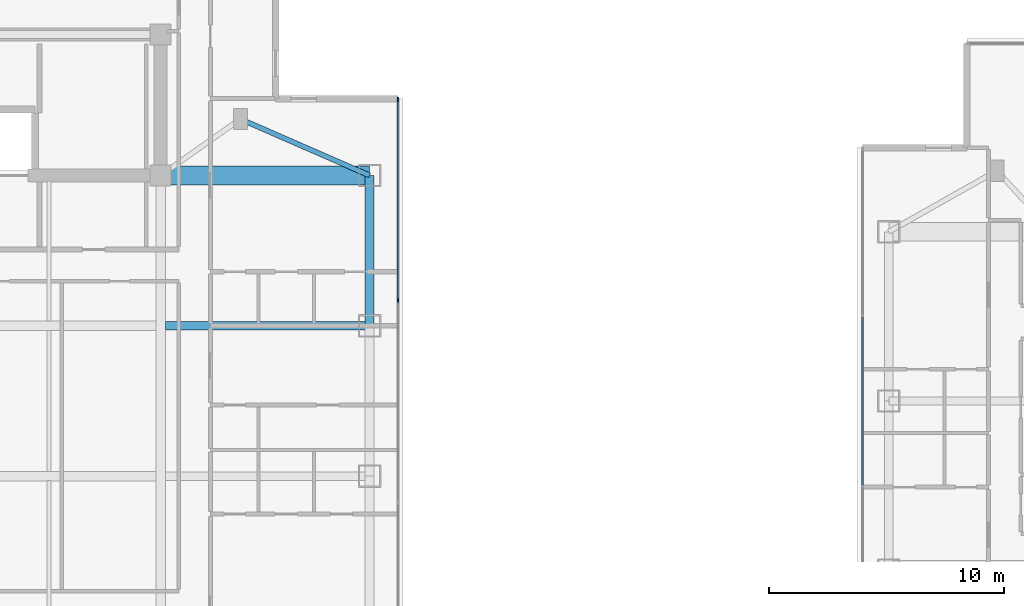
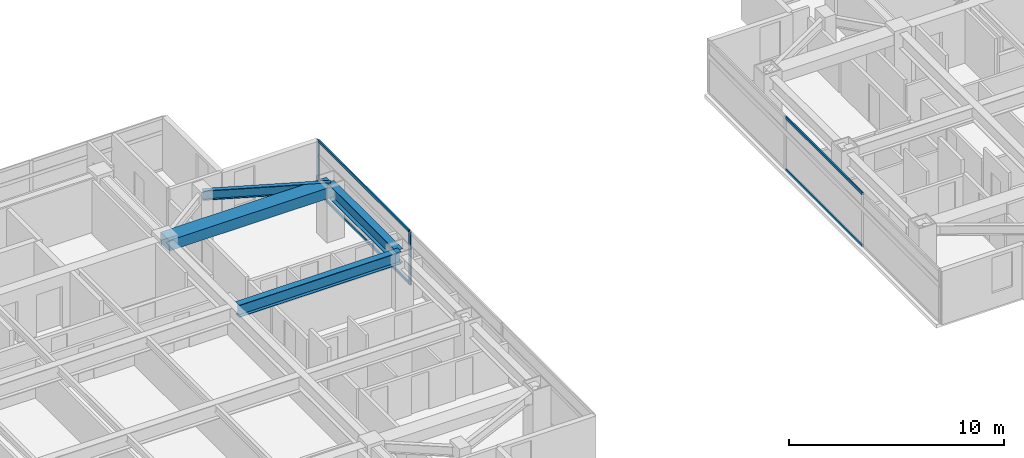
# One storey, part 6 of 24: 6 members, 4 beams, 2 elements without a shape of their own.
"""IFC4 building model written with IfcOpenShell, lengths in metres."""

from ifc_helpers import new_model, si_unit, direction, frame, origin, origin_2d, place, context, subcontext, project, spatial, rectangle, i_section, extrude, material, material_profile, profile_set, type_object, element, aggregate, save


model = new_model("IFC4")

# Units and contexts
model_context = context("Model", 3, precision=1e-05, world=origin(), true_north=direction((0.0, 1.0)))
body_context = subcontext(model_context, "Body", "Model", "MODEL_VIEW")
ifc_project = project(units=[si_unit("LENGTHUNIT", "METRE"), si_unit("AREAUNIT", "SQUARE_METRE"), si_unit("VOLUMEUNIT", "CUBIC_METRE"), si_unit("PLANEANGLEUNIT", "RADIAN"), si_unit("MASSUNIT", "GRAM", prefix="KILO")], contexts=[model_context])

# Site, building, storey
site_placement = place(None, origin())
site = spatial("IfcSite", under=ifc_project, at=site_placement, CompositionType="ELEMENT")
building_placement = place(site_placement, origin())
building = spatial("IfcBuilding", under=site, at=building_placement, Name="Mirazonda Arch Towers", CompositionType="ELEMENT")
storey_placement = place(building_placement, frame((0.0, 0.0, 186.89990234375)))
storey = spatial("IfcBuildingStorey", under=building, at=storey_placement, Name="L53", CompositionType="ELEMENT", Elevation=186.89990234375)

# Beams
ifc_material_1 = material(Name="Steel ASTM A992 Grade 50", Category="steel")
ifc_material_profile_1 = material_profile(ifc_material_1, i_section(OverallWidth=0.381103515625, OverallDepth=0.77294921875, WebThickness=0.0166015625, FlangeThickness=0.027099609375, at=origin_2d()), Name="W30X173")
ifc_profile_set_1 = profile_set([ifc_material_profile_1], Name="Steel ASTM A992 Grade 50")
beam_type_1 = type_object("IfcBeamType", Name="BM-EXT-W30X173", PredefinedType="USERDEFINED", material=ifc_profile_set_1)
beam_1_placement = place(storey_placement, frame((38.89990234375, 31.199951171875, 2.66357421875), z_axis=(0.0, 1.0, 0.0), x_axis=(-1.0, 0.0, 0.0)))
element("IfcBeam", 1, at=beam_1_placement, inside=storey, type_object=beam_type_1, Name="L53 Floor Beam BM-T1-L53-NS-E-31", ObjectType="GIRDER", PredefinedType="USERDEFINED", context=body_context, shape_type="SweptSolid", body=[
    extrude(i_section(OverallWidth=0.381103515625, OverallDepth=0.77294921875, WebThickness=0.0166015625, FlangeThickness=0.027099609375, at=origin_2d()), origin(), (0.0, 0.0, 1.0), 6.400146484375),
])
ifc_material_profile_2 = material_profile(ifc_material_1, i_section(OverallWidth=0.214111328125, OverallDepth=0.549072265625, WebThickness=0.0146484375, FlangeThickness=0.023681640625, at=origin_2d()), Name="W21X93")
ifc_profile_set_2 = profile_set([ifc_material_profile_2], Name="Steel ASTM A992 Grade 50")
beam_type_2 = type_object("IfcBeamType", Name="BM-INT-W21X93", PredefinedType="BEAM", material=ifc_profile_set_2)
beam_2_placement = place(storey_placement, frame((33.39990234375, 40.0, 2.775634765625), z_axis=(0.916545343703, -0.399930785183, 0.0), x_axis=(0.399930785183, 0.916545343703, 0.0)))
element("IfcBeam", 2, at=beam_2_placement, inside=storey, type_object=beam_type_2, Name="L53 Floor Beam BM-T1-L53-PL-NE2", PredefinedType="BEAM", context=body_context, shape_type="SweptSolid", body=[
    extrude(i_section(OverallWidth=0.214111328125, OverallDepth=0.549072265625, WebThickness=0.0146484375, FlangeThickness=0.023681640625, at=origin_2d()), origin(), (0.0, 0.0, 1.0), 6.000732421875),
])
ifc_material_profile_3 = material_profile(ifc_material_1, i_section(OverallWidth=0.35498046875, OverallDepth=0.696044921875, WebThickness=0.015380859375, FlangeThickness=0.02490234375, at=origin_2d()), Name="W27X146")
ifc_profile_set_3 = profile_set([ifc_material_profile_3], Name="Steel ASTM A992 Grade 50")
beam_type_3 = type_object("IfcBeamType", Name="BM-INT-W27X146", PredefinedType="BEAM", material=ifc_profile_set_3)
beam_3_placement = place(storey_placement, frame((30.199951171875, 31.199951171875, 2.7021484375), z_axis=(1.0, 0.0, 0.0), x_axis=(0.0, 1.0, 0.0)))
element("IfcBeam", 3, at=beam_3_placement, inside=storey, type_object=beam_type_3, Name="L53 Floor Beam BM-T1-L53-GE3", PredefinedType="BEAM", context=body_context, shape_type="SweptSolid", body=[
    extrude(i_section(OverallWidth=0.35498046875, OverallDepth=0.696044921875, WebThickness=0.015380859375, FlangeThickness=0.02490234375, at=origin_2d()), origin(), (0.0, 0.0, 1.0), 8.699951171875),
])
ifc_material_2 = material(Name="Concrete C60/75", Category="concrete")
ifc_material_profile_4 = material_profile(ifc_material_2, rectangle(XDim=0.800048828125, YDim=0.60009765625, at=origin_2d()), Name="RCCB800x600")
ifc_profile_set_4 = profile_set([ifc_material_profile_4], Name="Concrete C60/75")
beam_type_4 = type_object("IfcBeamType", Name="CB-INT-RCCB800x600", PredefinedType="SPANDREL", material=ifc_profile_set_4)
beam_4_placement = place(storey_placement, frame((30.0, 37.60009765625, 2.75), z_axis=(1.0, 0.0, 0.0), x_axis=(0.0, 1.0, 0.0)))
element("IfcBeam", 4, at=beam_4_placement, inside=storey, type_object=beam_type_4, Name="L53 Floor Beam CBC-T1-L53-NE", PredefinedType="SPANDREL", context=body_context, shape_type="SweptSolid", body=[
    extrude(rectangle(XDim=0.800048828125, YDim=0.60009765625, at=origin_2d()), origin(), (0.0, 0.0, 1.0), 8.89990234375),
])

# Curtain wall, members
ifc_material_3 = material(Name="Anodised Aluminium and Low-E Glass", Category="aluminium")
curtain_wall_type = type_object("IfcCurtainWallType", Name="CW-RES-UNIT", PredefinedType="NOTDEFINED", material=ifc_material_3)
curtain_wall_1_placement = place(storey_placement, origin())
curtain_wall_1 = element("IfcCurtainWall", 5, at=curtain_wall_1_placement, inside=storey, type_object=curtain_wall_type, Name="L53 T1 E Facade CW-L53-T1-E", PredefinedType="NOTDEFINED")
ifc_material_4 = material(Name="Anodised Aluminium Alloy", Category="aluminium")
ifc_material_profile_5 = material_profile(ifc_material_4, rectangle(XDim=0.074951171875, YDim=0.175048828125, at=origin_2d()), Name="ALU-MULL-75x175")
ifc_profile_set_5 = profile_set([ifc_material_profile_5], Name="Anodised Aluminium Alloy")
member_type_1 = type_object("IfcMemberType", Name="MULL-CW-RES-UNIT", PredefinedType="MULLION", material=ifc_profile_set_5)
member_1_placement = place(storey_placement, frame((40.110107421875, 32.291015625, 0.0), z_axis=(0.0, 0.0, 1.0), x_axis=(-1.0, 0.0, 0.0)))
member_1 = element("IfcMember", 6, at=member_1_placement, type_object=member_type_1, Name="CW-104 mullion 3", PredefinedType="MULLION", context=body_context, shape_type="SweptSolid", body=[
    extrude(rectangle(XDim=0.074951171875, YDim=0.175048828125, at=origin_2d()), origin(), (0.0, 0.0, 1.0), 3.030029296875),
])
member_2_placement = place(storey_placement, frame((40.110107421875, 40.83544921875, 0.0), z_axis=(0.0, 0.0, 1.0), x_axis=(-1.0, 0.0, 0.0)))
member_2 = element("IfcMember", 7, at=member_2_placement, type_object=member_type_1, Name="CW-104 mullion 4", PredefinedType="MULLION", context=body_context, shape_type="SweptSolid", body=[
    extrude(rectangle(XDim=0.074951171875, YDim=0.175048828125, at=origin_2d()), origin(), (0.0, 0.0, 1.0), 3.030029296875),
])
ifc_material_profile_6 = material_profile(ifc_material_4, rectangle(XDim=0.074951171875, YDim=0.155029296875, at=origin_2d()), Name="ALU-TRAN-75x155")
ifc_profile_set_6 = profile_set([ifc_material_profile_6], Name="Anodised Aluminium Alloy")
member_type_2 = type_object("IfcMemberType", Name="TRAN-CW-RES-UNIT", PredefinedType="USERDEFINED", material=ifc_profile_set_6)
member_3_placement = place(storey_placement, frame((40.110107421875, 32.32861328125, 0.03759765625), z_axis=(0.0, 1.0, 0.0), x_axis=(-1.0, 0.0, 0.0)))
member_3 = element("IfcMember", 8, at=member_3_placement, type_object=member_type_2, Name="CW-104 transom 3.1", ObjectType="TRANSOM", PredefinedType="USERDEFINED", context=body_context, shape_type="SweptSolid", body=[
    extrude(rectangle(XDim=0.074951171875, YDim=0.155029296875, at=origin_2d()), origin(), (0.0, 0.0, 1.0), 8.469482421875),
])
member_4_placement = place(storey_placement, frame((40.110107421875, 32.32861328125, 2.99267578125), z_axis=(0.0, 1.0, 0.0), x_axis=(-1.0, 0.0, 0.0)))
member_4 = element("IfcMember", 9, at=member_4_placement, type_object=member_type_2, Name="CW-104 transom 3.2", ObjectType="TRANSOM", PredefinedType="USERDEFINED", context=body_context, shape_type="SweptSolid", body=[
    extrude(rectangle(XDim=0.074951171875, YDim=0.155029296875, at=origin_2d()), origin(), (0.0, 0.0, 1.0), 8.469482421875),
])
aggregate(curtain_wall_1, [member_1, member_2, member_3, member_4])

curtain_wall_2_placement = place(storey_placement, origin())
curtain_wall_2 = element("IfcCurtainWall", 10, at=curtain_wall_2_placement, inside=storey, type_object=curtain_wall_type, Name="L53 T2 W Facade CW-L53-T2-W", PredefinedType="NOTDEFINED")
member_5_placement = place(storey_placement, frame((59.884521484375, 31.556640625, 0.03759765625), z_axis=(0.0, -1.0, 0.0), x_axis=(1.0, 0.0, 0.0)))
member_5 = element("IfcMember", 11, at=member_5_placement, type_object=member_type_2, Name="CW-104 transom 2.1", ObjectType="TRANSOM", PredefinedType="USERDEFINED", context=body_context, shape_type="SweptSolid", body=[
    extrude(rectangle(XDim=0.074951171875, YDim=0.155029296875, at=origin_2d()), origin(), (0.0, 0.0, 1.0), 7.11328125),
])
member_6_placement = place(storey_placement, frame((59.884521484375, 31.556640625, 2.99267578125), z_axis=(0.0, -1.0, 0.0), x_axis=(1.0, 0.0, 0.0)))
member_6 = element("IfcMember", 12, at=member_6_placement, type_object=member_type_2, Name="CW-104 transom 2.2", ObjectType="TRANSOM", PredefinedType="USERDEFINED", context=body_context, shape_type="SweptSolid", body=[
    extrude(rectangle(XDim=0.074951171875, YDim=0.155029296875, at=origin_2d()), origin(), (0.0, 0.0, 1.0), 7.11328125),
])
aggregate(curtain_wall_2, [member_5, member_6])

save(model, "model.ifc")
